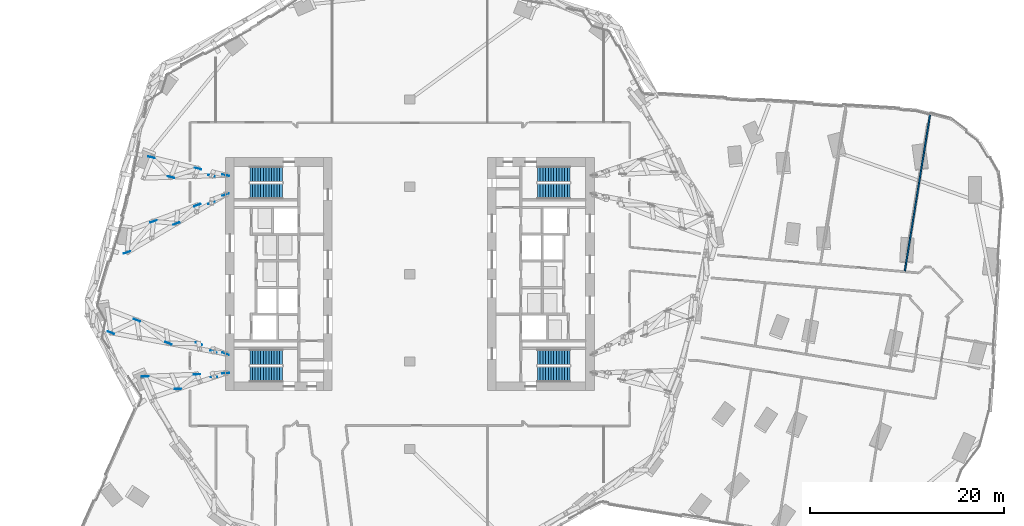
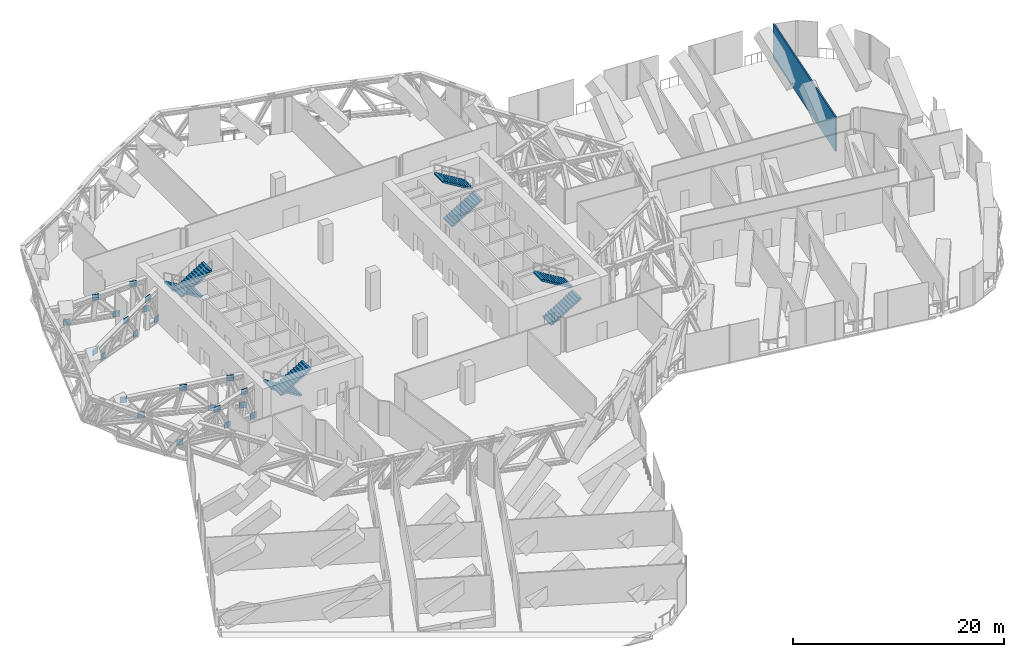
# One storey, part 33 of 39: 8 stair flights, 1 discrete accessory, 1 wall, 4 elements without a shape of their own.
"""IFC4 building model written with IfcOpenShell, lengths in metres."""

from ifc_helpers import new_model, si_unit, direction, frame, frame_2d, origin, origin_2d, place, context, subcontext, project, spatial, polyline, rectangle, outline, extrude, material, layer, layer_set, type_object, element, aggregate, save


model = new_model("IFC4")

# Units and contexts
model_context = context("Model", 3, precision=1e-05, world=origin(), true_north=direction((0.0, 1.0)))
body_context = subcontext(model_context, "Body", "Model", "MODEL_VIEW")
ifc_project = project(units=[si_unit("LENGTHUNIT", "METRE"), si_unit("AREAUNIT", "SQUARE_METRE"), si_unit("VOLUMEUNIT", "CUBIC_METRE"), si_unit("PLANEANGLEUNIT", "RADIAN"), si_unit("MASSUNIT", "GRAM", prefix="KILO")], contexts=[model_context])

# Site, building, storey
site_placement = place(None, origin())
site = spatial("IfcSite", under=ifc_project, at=site_placement, CompositionType="ELEMENT")
building_placement = place(site_placement, origin())
building = spatial("IfcBuilding", under=site, at=building_placement, Name="Orlundy Tower", CompositionType="ELEMENT")
storey_placement = place(building_placement, frame((0.0, 0.0, 141.199951171875)))
storey = spatial("IfcBuildingStorey", under=building, at=storey_placement, Name="L36", CompositionType="ELEMENT", Elevation=141.199951171875)

# Wall
ifc_material_1 = material(Name="Blockwork shaft wall", Category="masonry")
ifc_layer_1 = layer(ifc_material_1, 0.14990234375)
ifc_layer_set_1 = layer_set([ifc_layer_1], Name="Floor shaft wall 150")
wall_type = type_object("IfcWallType", Name="Floor shaft wall 150", PredefinedType="PARTITIONING", material=ifc_layer_set_1)
wall_placement = place(storey_placement, frame((51.00390625, 0.3291015625, 0.0), z_axis=(0.0, 0.0, 1.0), x_axis=(0.159318497142, 0.98722723649, 0.0)))
element("IfcWall", 1, at=wall_placement, inside=storey, type_object=wall_type, Name="wall-int-L36-061", PredefinedType="PARTITIONING", context=body_context, shape_type="SweptSolid", body=[
    extrude(rectangle(XDim=16.58984375, YDim=0.14990234375, at=frame_2d((8.294921875, 0.0))), origin(), (0.0, 0.0, 1.0), 3.97998046875),
])

# Stair, stair flights
ifc_material_2 = material(Name="Concrete C50/60", Category="concrete")
stair_type = type_object("IfcStairType", Name="Exit Stair 26 risers", PredefinedType="HALF_TURN_STAIR", material=ifc_material_2)
stair_1_placement = place(storey_placement, origin())
stair_1 = element("IfcStair", 2, at=stair_1_placement, inside=storey, type_object=stair_type, Name="L36 Exit Stair ST-W1", PredefinedType="HALF_TURN_STAIR")
ifc_material_3 = material(Name="Concrete C50/60", Category="concrete")
stair_flight_type = type_object("IfcStairFlightType", Name="Stair Flight 13 risers", PredefinedType="STRAIGHT", material=ifc_material_3)
stair_flight_1_placement = place(storey_placement, frame((-13.139892578125, 10.300048828125, 0.0), z_axis=(0.0, 0.0, 1.0), x_axis=(-1.0, 0.0, 0.0)))
stair_flight_1 = element("IfcStairFlight", 3, at=stair_flight_1_placement, type_object=stair_flight_type, Name="ST-W1 flight 1", NumberOfRisers=13, NumberOfTreads=12, PredefinedType="STRAIGHT", RiserHeight=0.169230769, TreadLength=0.28, context=body_context, shape_type="SweptSolid", body=[
    extrude(outline(polyline([(0.0, 0.0), (0.0, 0.169189453125), (0.280029296875, 0.169189453125), (0.280029296875, 0.33837890625), (0.56005859375, 0.33837890625), (0.56005859375, 0.5078125), (0.840087890625, 0.5078125), (0.840087890625, 0.677001953125), (1.1201171875, 0.677001953125), (1.1201171875, 0.84619140625), (1.39990234375, 0.84619140625), (1.39990234375, 1.015380859375), (1.679931640625, 1.015380859375), (1.679931640625, 1.1845703125), (1.9599609375, 1.1845703125), (1.9599609375, 1.353759765625), (2.239990234375, 1.353759765625), (2.239990234375, 1.523193359375), (2.52001953125, 1.523193359375), (2.52001953125, 1.6923828125), (2.800048828125, 1.6923828125), (2.800048828125, 1.861572265625), (3.080078125, 1.861572265625), (3.080078125, 2.03076171875), (3.360107421875, 2.03076171875), (3.360107421875, 2.199951171875), (3.360107421875, 1.855712890625), (0.289794921875, 0.0), (0.0, 0.0)])), frame((0.0, 0.800048828125, 0.0), z_axis=(0.0, -1.0, 0.0), x_axis=(1.0, 0.0, 0.0)), (0.0, 0.0, 1.0), 1.60009765625),
])
stair_flight_2_placement = place(storey_placement, frame((-16.5, 8.550048828125, 2.199951171875), z_axis=(0.0, 0.0, 1.0), x_axis=(1.0, 0.0, 0.0)))
stair_flight_2 = element("IfcStairFlight", 4, at=stair_flight_2_placement, type_object=stair_flight_type, Name="ST-W1 flight 2", NumberOfRisers=13, NumberOfTreads=12, PredefinedType="STRAIGHT", RiserHeight=0.169230769, TreadLength=0.28, context=body_context, shape_type="SweptSolid", body=[
    extrude(outline(polyline([(0.0, 0.0), (0.0, 0.169189453125), (0.280029296875, 0.169189453125), (0.280029296875, 0.33837890625), (0.56005859375, 0.33837890625), (0.56005859375, 0.5078125), (0.840087890625, 0.5078125), (0.840087890625, 0.677001953125), (1.1201171875, 0.677001953125), (1.1201171875, 0.84619140625), (1.39990234375, 0.84619140625), (1.39990234375, 1.015380859375), (1.679931640625, 1.015380859375), (1.679931640625, 1.1845703125), (1.9599609375, 1.1845703125), (1.9599609375, 1.353759765625), (2.239990234375, 1.353759765625), (2.239990234375, 1.523193359375), (2.52001953125, 1.523193359375), (2.52001953125, 1.6923828125), (2.800048828125, 1.6923828125), (2.800048828125, 1.861572265625), (3.080078125, 1.861572265625), (3.080078125, 2.03076171875), (3.360107421875, 2.03076171875), (3.360107421875, 2.199951171875), (3.360107421875, 1.855712890625), (0.289794921875, 0.0), (0.0, 0.0)])), frame((0.0, 0.800048828125, 0.0), z_axis=(0.0, -1.0, 0.0), x_axis=(1.0, 0.0, 0.0)), (0.0, 0.0, 1.0), 1.60009765625),
])
aggregate(stair_1, [stair_flight_1, stair_flight_2])

stair_2_placement = place(storey_placement, origin())
stair_2 = element("IfcStair", 5, at=stair_2_placement, inside=storey, type_object=stair_type, Name="L36 Exit Stair ST-W2", PredefinedType="HALF_TURN_STAIR")
stair_flight_3_placement = place(storey_placement, frame((-13.139892578125, -8.550048828125, 0.0), z_axis=(0.0, 0.0, 1.0), x_axis=(-1.0, 0.0, 0.0)))
stair_flight_3 = element("IfcStairFlight", 6, at=stair_flight_3_placement, type_object=stair_flight_type, Name="ST-W2 flight 1", NumberOfRisers=13, NumberOfTreads=12, PredefinedType="STRAIGHT", RiserHeight=0.169230769, TreadLength=0.28, context=body_context, shape_type="SweptSolid", body=[
    extrude(outline(polyline([(0.0, 0.0), (0.0, 0.169189453125), (0.280029296875, 0.169189453125), (0.280029296875, 0.33837890625), (0.56005859375, 0.33837890625), (0.56005859375, 0.5078125), (0.840087890625, 0.5078125), (0.840087890625, 0.677001953125), (1.1201171875, 0.677001953125), (1.1201171875, 0.84619140625), (1.39990234375, 0.84619140625), (1.39990234375, 1.015380859375), (1.679931640625, 1.015380859375), (1.679931640625, 1.1845703125), (1.9599609375, 1.1845703125), (1.9599609375, 1.353759765625), (2.239990234375, 1.353759765625), (2.239990234375, 1.523193359375), (2.52001953125, 1.523193359375), (2.52001953125, 1.6923828125), (2.800048828125, 1.6923828125), (2.800048828125, 1.861572265625), (3.080078125, 1.861572265625), (3.080078125, 2.03076171875), (3.360107421875, 2.03076171875), (3.360107421875, 2.199951171875), (3.360107421875, 1.855712890625), (0.289794921875, 0.0), (0.0, 0.0)])), frame((0.0, 0.800048828125, 0.0), z_axis=(0.0, -1.0, 0.0), x_axis=(1.0, 0.0, 0.0)), (0.0, 0.0, 1.0), 1.60009765625),
])
stair_flight_4_placement = place(storey_placement, frame((-16.5, -10.300048828125, 2.199951171875), z_axis=(0.0, 0.0, 1.0), x_axis=(1.0, 0.0, 0.0)))
stair_flight_4 = element("IfcStairFlight", 7, at=stair_flight_4_placement, type_object=stair_flight_type, Name="ST-W2 flight 2", NumberOfRisers=13, NumberOfTreads=12, PredefinedType="STRAIGHT", RiserHeight=0.169230769, TreadLength=0.28, context=body_context, shape_type="SweptSolid", body=[
    extrude(outline(polyline([(0.0, 0.0), (0.0, 0.169189453125), (0.280029296875, 0.169189453125), (0.280029296875, 0.33837890625), (0.56005859375, 0.33837890625), (0.56005859375, 0.5078125), (0.840087890625, 0.5078125), (0.840087890625, 0.677001953125), (1.1201171875, 0.677001953125), (1.1201171875, 0.84619140625), (1.39990234375, 0.84619140625), (1.39990234375, 1.015380859375), (1.679931640625, 1.015380859375), (1.679931640625, 1.1845703125), (1.9599609375, 1.1845703125), (1.9599609375, 1.353759765625), (2.239990234375, 1.353759765625), (2.239990234375, 1.523193359375), (2.52001953125, 1.523193359375), (2.52001953125, 1.6923828125), (2.800048828125, 1.6923828125), (2.800048828125, 1.861572265625), (3.080078125, 1.861572265625), (3.080078125, 2.03076171875), (3.360107421875, 2.03076171875), (3.360107421875, 2.199951171875), (3.360107421875, 1.855712890625), (0.289794921875, 0.0), (0.0, 0.0)])), frame((0.0, 0.800048828125, 0.0), z_axis=(0.0, -1.0, 0.0), x_axis=(1.0, 0.0, 0.0)), (0.0, 0.0, 1.0), 1.60009765625),
])
aggregate(stair_2, [stair_flight_3, stair_flight_4])

stair_3_placement = place(storey_placement, origin())
stair_3 = element("IfcStair", 8, at=stair_3_placement, inside=storey, type_object=stair_type, Name="L36 Exit Stair ST-E1", PredefinedType="HALF_TURN_STAIR")
stair_flight_5_placement = place(storey_placement, frame((13.139892578125, -10.300048828125, 0.0), z_axis=(0.0, 0.0, 1.0), x_axis=(1.0, 0.0, 0.0)))
stair_flight_5 = element("IfcStairFlight", 9, at=stair_flight_5_placement, type_object=stair_flight_type, Name="ST-E1 flight 1", NumberOfRisers=13, NumberOfTreads=12, PredefinedType="STRAIGHT", RiserHeight=0.169230769, TreadLength=0.28, context=body_context, shape_type="SweptSolid", body=[
    extrude(outline(polyline([(0.0, 0.0), (0.0, 0.169189453125), (0.280029296875, 0.169189453125), (0.280029296875, 0.33837890625), (0.56005859375, 0.33837890625), (0.56005859375, 0.5078125), (0.840087890625, 0.5078125), (0.840087890625, 0.677001953125), (1.1201171875, 0.677001953125), (1.1201171875, 0.84619140625), (1.39990234375, 0.84619140625), (1.39990234375, 1.015380859375), (1.679931640625, 1.015380859375), (1.679931640625, 1.1845703125), (1.9599609375, 1.1845703125), (1.9599609375, 1.353759765625), (2.239990234375, 1.353759765625), (2.239990234375, 1.523193359375), (2.52001953125, 1.523193359375), (2.52001953125, 1.6923828125), (2.800048828125, 1.6923828125), (2.800048828125, 1.861572265625), (3.080078125, 1.861572265625), (3.080078125, 2.03076171875), (3.360107421875, 2.03076171875), (3.360107421875, 2.199951171875), (3.360107421875, 1.855712890625), (0.289794921875, 0.0), (0.0, 0.0)])), frame((0.0, 0.800048828125, 0.0), z_axis=(0.0, -1.0, 0.0), x_axis=(1.0, 0.0, 0.0)), (0.0, 0.0, 1.0), 1.60009765625),
])
stair_flight_6_placement = place(storey_placement, frame((16.5, -8.550048828125, 2.199951171875), z_axis=(0.0, 0.0, 1.0), x_axis=(-1.0, 0.0, 0.0)))
stair_flight_6 = element("IfcStairFlight", 10, at=stair_flight_6_placement, type_object=stair_flight_type, Name="ST-E1 flight 2", NumberOfRisers=13, NumberOfTreads=12, PredefinedType="STRAIGHT", RiserHeight=0.169230769, TreadLength=0.28, context=body_context, shape_type="SweptSolid", body=[
    extrude(outline(polyline([(0.0, 0.0), (0.0, 0.169189453125), (0.280029296875, 0.169189453125), (0.280029296875, 0.33837890625), (0.56005859375, 0.33837890625), (0.56005859375, 0.5078125), (0.840087890625, 0.5078125), (0.840087890625, 0.677001953125), (1.1201171875, 0.677001953125), (1.1201171875, 0.84619140625), (1.39990234375, 0.84619140625), (1.39990234375, 1.015380859375), (1.679931640625, 1.015380859375), (1.679931640625, 1.1845703125), (1.9599609375, 1.1845703125), (1.9599609375, 1.353759765625), (2.239990234375, 1.353759765625), (2.239990234375, 1.523193359375), (2.52001953125, 1.523193359375), (2.52001953125, 1.6923828125), (2.800048828125, 1.6923828125), (2.800048828125, 1.861572265625), (3.080078125, 1.861572265625), (3.080078125, 2.03076171875), (3.360107421875, 2.03076171875), (3.360107421875, 2.199951171875), (3.360107421875, 1.855712890625), (0.289794921875, 0.0), (0.0, 0.0)])), frame((0.0, 0.800048828125, 0.0), z_axis=(0.0, -1.0, 0.0), x_axis=(1.0, 0.0, 0.0)), (0.0, 0.0, 1.0), 1.60009765625),
])
aggregate(stair_3, [stair_flight_5, stair_flight_6])

stair_4_placement = place(storey_placement, origin())
stair_4 = element("IfcStair", 11, at=stair_4_placement, inside=storey, type_object=stair_type, Name="L36 Exit Stair ST-E2", PredefinedType="HALF_TURN_STAIR")
stair_flight_7_placement = place(storey_placement, frame((13.139892578125, 8.550048828125, 0.0), z_axis=(0.0, 0.0, 1.0), x_axis=(1.0, 0.0, 0.0)))
stair_flight_7 = element("IfcStairFlight", 12, at=stair_flight_7_placement, type_object=stair_flight_type, Name="ST-E2 flight 1", NumberOfRisers=13, NumberOfTreads=12, PredefinedType="STRAIGHT", RiserHeight=0.169230769, TreadLength=0.28, context=body_context, shape_type="SweptSolid", body=[
    extrude(outline(polyline([(0.0, 0.0), (0.0, 0.169189453125), (0.280029296875, 0.169189453125), (0.280029296875, 0.33837890625), (0.56005859375, 0.33837890625), (0.56005859375, 0.5078125), (0.840087890625, 0.5078125), (0.840087890625, 0.677001953125), (1.1201171875, 0.677001953125), (1.1201171875, 0.84619140625), (1.39990234375, 0.84619140625), (1.39990234375, 1.015380859375), (1.679931640625, 1.015380859375), (1.679931640625, 1.1845703125), (1.9599609375, 1.1845703125), (1.9599609375, 1.353759765625), (2.239990234375, 1.353759765625), (2.239990234375, 1.523193359375), (2.52001953125, 1.523193359375), (2.52001953125, 1.6923828125), (2.800048828125, 1.6923828125), (2.800048828125, 1.861572265625), (3.080078125, 1.861572265625), (3.080078125, 2.03076171875), (3.360107421875, 2.03076171875), (3.360107421875, 2.199951171875), (3.360107421875, 1.855712890625), (0.289794921875, 0.0), (0.0, 0.0)])), frame((0.0, 0.800048828125, 0.0), z_axis=(0.0, -1.0, 0.0), x_axis=(1.0, 0.0, 0.0)), (0.0, 0.0, 1.0), 1.60009765625),
])
stair_flight_8_placement = place(storey_placement, frame((16.5, 10.300048828125, 2.199951171875), z_axis=(0.0, 0.0, 1.0), x_axis=(-1.0, 0.0, 0.0)))
stair_flight_8 = element("IfcStairFlight", 13, at=stair_flight_8_placement, type_object=stair_flight_type, Name="ST-E2 flight 2", NumberOfRisers=13, NumberOfTreads=12, PredefinedType="STRAIGHT", RiserHeight=0.169230769, TreadLength=0.28, context=body_context, shape_type="SweptSolid", body=[
    extrude(outline(polyline([(0.0, 0.0), (0.0, 0.169189453125), (0.280029296875, 0.169189453125), (0.280029296875, 0.33837890625), (0.56005859375, 0.33837890625), (0.56005859375, 0.5078125), (0.840087890625, 0.5078125), (0.840087890625, 0.677001953125), (1.1201171875, 0.677001953125), (1.1201171875, 0.84619140625), (1.39990234375, 0.84619140625), (1.39990234375, 1.015380859375), (1.679931640625, 1.015380859375), (1.679931640625, 1.1845703125), (1.9599609375, 1.1845703125), (1.9599609375, 1.353759765625), (2.239990234375, 1.353759765625), (2.239990234375, 1.523193359375), (2.52001953125, 1.523193359375), (2.52001953125, 1.6923828125), (2.800048828125, 1.6923828125), (2.800048828125, 1.861572265625), (3.080078125, 1.861572265625), (3.080078125, 2.03076171875), (3.360107421875, 2.03076171875), (3.360107421875, 2.199951171875), (3.360107421875, 1.855712890625), (0.289794921875, 0.0), (0.0, 0.0)])), frame((0.0, 0.800048828125, 0.0), z_axis=(0.0, -1.0, 0.0), x_axis=(1.0, 0.0, 0.0)), (0.0, 0.0, 1.0), 1.60009765625),
])
aggregate(stair_4, [stair_flight_7, stair_flight_8])

# Discrete accessory
ifc_material_4 = material(Name="Steel ASTM A572 Gr 50", Category="steel")
ifc_layer_2 = layer(ifc_material_4, 0.0400390625)
ifc_layer_set_2 = layer_set([ifc_layer_2], Name="CONNECTION PLATES")
discrete_accessory_type = type_object("IfcDiscreteAccessoryType", Name="CONNECTION PLATES", PredefinedType="ANCHORPLATE", material=ifc_layer_set_2)
discrete_accessory_placement = place(storey_placement, frame((0.0, 0.0, -141.199951171875)))
element("IfcDiscreteAccessory", 14, at=discrete_accessory_placement, inside=storey, type_object=discrete_accessory_type, Name="Connection plates OUTRIG-L36-W", PredefinedType="ANCHORPLATE", context=body_context, shape_type="SweptSolid", body=[
    extrude(rectangle(XDim=0.699951171875, YDim=0.0400390625, at=origin_2d()), frame((-18.97998046875, -10.199951171875, 141.134765625), z_axis=(0.0, 0.0, 1.0), x_axis=(-0.999180325602, -0.040480574722, 0.0)), (0.0, 0.0, 1.0), 0.699951171875),
    extrude(rectangle(XDim=0.699951171875, YDim=0.0400390625, at=origin_2d()), frame((-20.19482421875, -10.6015625, 144.5654296875), z_axis=(0.0, 0.0, 1.0), x_axis=(-0.999180325602, -0.040480574722, 0.0)), (0.0, 0.0, 1.0), 0.699951171875),
    extrude(rectangle(XDim=0.699951171875, YDim=0.0400390625, at=origin_2d()), frame((-21.942626953125, -10.320068359375, 141.134765625), z_axis=(0.0, 0.0, 1.0), x_axis=(-0.999180325602, -0.040480574722, 0.0)), (0.0, 0.0, 1.0), 0.699951171875),
    extrude(rectangle(XDim=0.699951171875, YDim=0.0400390625, at=origin_2d()), frame((-23.89501953125, -11.82421875, 144.5654296875), z_axis=(0.0, 0.0, 1.0), x_axis=(-0.999180325602, -0.040480574722, 0.0)), (0.0, 0.0, 1.0), 0.699951171875),
    extrude(rectangle(XDim=0.699951171875, YDim=0.0400390625, at=origin_2d()), frame((-27.2568359375, -10.535400390625, 141.134765625), z_axis=(0.0, 0.0, 1.0), x_axis=(-0.999180325602, -0.040480574722, 0.0)), (0.0, 0.0, 1.0), 0.699951171875),
    extrude(rectangle(XDim=0.699951171875, YDim=0.0400390625, at=origin_2d()), frame((-18.97998046875, -8.199951171875, 141.134765625), z_axis=(0.0, 0.0, 1.0), x_axis=(-0.935795217958, 0.352544054052, 0.0)), (0.0, 0.0, 1.0), 0.699951171875),
    extrude(rectangle(XDim=0.699951171875, YDim=0.0400390625, at=origin_2d()), frame((-20.2177734375, -7.97265625, 144.5654296875), z_axis=(0.0, 0.0, 1.0), x_axis=(-0.935795217958, 0.352544054052, 0.0)), (0.0, 0.0, 1.0), 0.699951171875),
    extrude(rectangle(XDim=0.699951171875, YDim=0.0400390625, at=origin_2d()), frame((-21.753662109375, -7.155029296875, 141.134765625), z_axis=(0.0, 0.0, 1.0), x_axis=(-0.935795217958, 0.352544054052, 0.0)), (0.0, 0.0, 1.0), 0.699951171875),
    extrude(rectangle(XDim=0.699951171875, YDim=0.0400390625, at=origin_2d()), frame((-24.8974609375, -7.11328125, 144.5654296875), z_axis=(0.0, 0.0, 1.0), x_axis=(-0.935795217958, 0.352544054052, 0.0)), (0.0, 0.0, 1.0), 0.699951171875),
    extrude(rectangle(XDim=0.699951171875, YDim=0.0400390625, at=origin_2d()), frame((-28.1337890625, -4.75146484375, 141.134765625), z_axis=(0.0, 0.0, 1.0), x_axis=(-0.935795217958, 0.352544054052, 0.0)), (0.0, 0.0, 1.0), 0.699951171875),
    extrude(rectangle(XDim=0.699951171875, YDim=0.0400390625, at=origin_2d()), frame((-30.814697265625, -6.026611328125, 144.5654296875), z_axis=(0.0, 0.0, 1.0), x_axis=(-0.935795217958, 0.352544054052, 0.0)), (0.0, 0.0, 1.0), 0.699951171875),
    extrude(rectangle(XDim=0.699951171875, YDim=0.0400390625, at=origin_2d()), frame((-18.97998046875, 8.199951171875, 141.134765625), z_axis=(0.0, 0.0, 1.0), x_axis=(-0.937585819058, -0.347753981862, 0.0)), (0.0, 0.0, 1.0), 0.699951171875),
    extrude(rectangle(XDim=0.699951171875, YDim=0.0400390625, at=origin_2d()), frame((-20.443115234375, 7.342529296875, 144.5654296875), z_axis=(0.0, 0.0, 1.0), x_axis=(-0.937585819058, -0.347753981862, 0.0)), (0.0, 0.0, 1.0), 0.699951171875),
    extrude(rectangle(XDim=0.699951171875, YDim=0.0400390625, at=origin_2d()), frame((-21.908935546875, 7.113525390625, 141.134765625), z_axis=(0.0, 0.0, 1.0), x_axis=(-0.937585819058, -0.347753981862, 0.0)), (0.0, 0.0, 1.0), 0.699951171875),
    extrude(rectangle(XDim=0.699951171875, YDim=0.0400390625, at=origin_2d()), frame((-24.061767578125, 5.2216796875, 144.5654296875), z_axis=(0.0, 0.0, 1.0), x_axis=(-0.937585819058, -0.347753981862, 0.0)), (0.0, 0.0, 1.0), 0.699951171875),
    extrude(rectangle(XDim=0.699951171875, YDim=0.0400390625, at=origin_2d()), frame((-26.42431640625, 5.43896484375, 141.134765625), z_axis=(0.0, 0.0, 1.0), x_axis=(-0.937585819058, -0.347753981862, 0.0)), (0.0, 0.0, 1.0), 0.699951171875),
    extrude(rectangle(XDim=0.699951171875, YDim=0.0400390625, at=origin_2d()), frame((-29.1435546875, 2.243408203125, 144.5654296875), z_axis=(0.0, 0.0, 1.0), x_axis=(-0.937585819058, -0.347753981862, 0.0)), (0.0, 0.0, 1.0), 0.699951171875),
    extrude(rectangle(XDim=0.699951171875, YDim=0.0400390625, at=origin_2d()), frame((-18.97998046875, 10.199951171875, 141.134765625), z_axis=(0.0, 0.0, 1.0), x_axis=(-0.972316928296, 0.233665981582, 0.0)), (0.0, 0.0, 1.0), 0.699951171875),
    extrude(rectangle(XDim=0.699951171875, YDim=0.0400390625, at=origin_2d()), frame((-20.42919921875, 10.150146484375, 144.5654296875), z_axis=(0.0, 0.0, 1.0), x_axis=(-0.972316928296, 0.233665981582, 0.0)), (0.0, 0.0, 1.0), 0.699951171875),
    extrude(rectangle(XDim=0.699951171875, YDim=0.0400390625, at=origin_2d()), frame((-21.840576171875, 10.887451171875, 141.134765625), z_axis=(0.0, 0.0, 1.0), x_axis=(-0.972316928296, 0.233665981582, 0.0)), (0.0, 0.0, 1.0), 0.699951171875),
    extrude(rectangle(XDim=0.699951171875, YDim=0.0400390625, at=origin_2d()), frame((-24.63134765625, 10.00537109375, 144.5654296875), z_axis=(0.0, 0.0, 1.0), x_axis=(-0.972316928296, 0.233665981582, 0.0)), (0.0, 0.0, 1.0), 0.699951171875),
    extrude(rectangle(XDim=0.699951171875, YDim=0.0400390625, at=origin_2d()), frame((-26.61181640625, 12.0341796875, 141.134765625), z_axis=(0.0, 0.0, 1.0), x_axis=(-0.972316928296, 0.233665981582, 0.0)), (0.0, 0.0, 1.0), 0.699951171875),
])

save(model, "model.ifc")
